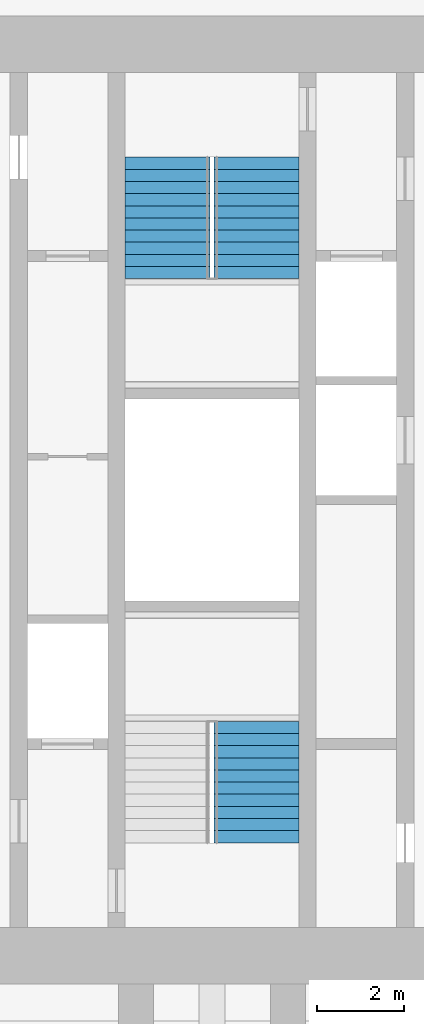
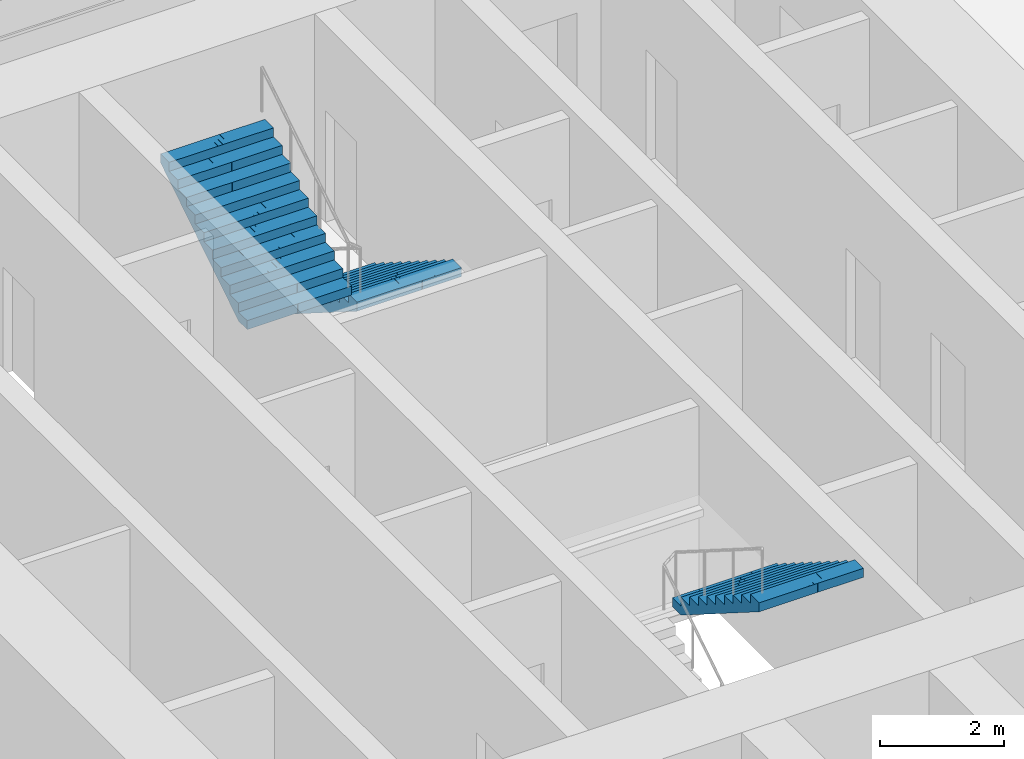
# One storey, part 14 of 15: 3 stair flights, 2 elements without a shape of their own.
"""IFC4 building model written with IfcOpenShell, lengths in metres."""

from ifc_helpers import new_model, si_unit, direction, frame, origin, place, context, subcontext, project, spatial, polyline, outline, extrude, material, type_object, element, aggregate, save


model = new_model("IFC4")

# Units and contexts
model_context = context("Model", 3, precision=1e-05, world=origin(), true_north=direction((0.0, 1.0)))
body_context = subcontext(model_context, "Body", "Model", "MODEL_VIEW")
ifc_project = project(units=[si_unit("LENGTHUNIT", "METRE"), si_unit("AREAUNIT", "SQUARE_METRE"), si_unit("VOLUMEUNIT", "CUBIC_METRE"), si_unit("PLANEANGLEUNIT", "RADIAN"), si_unit("MASSUNIT", "GRAM", prefix="KILO")], contexts=[model_context])

# Site, building, storey
site_placement = place(None, origin())
site = spatial("IfcSite", under=ifc_project, at=site_placement, CompositionType="ELEMENT")
building_placement = place(site_placement, origin())
building = spatial("IfcBuilding", under=site, at=building_placement, Name="Mizan Broadcast Tower", CompositionType="ELEMENT")
storey_placement = place(building_placement, frame((0.0, 0.0, 286.800048828125)))
storey = spatial("IfcBuildingStorey", under=building, at=storey_placement, Name="L68", CompositionType="ELEMENT", Elevation=286.800048828125)

# Stair, stair flight
ifc_material_1 = material(Name="Concrete C40/50", Category="concrete")
stair_type = type_object("IfcStairType", Name="EXIT STAIR", PredefinedType="HALF_TURN_STAIR", material=ifc_material_1)
stair_1_placement = place(storey_placement, origin())
stair_1 = element("IfcStair", 1, at=stair_1_placement, inside=storey, type_object=stair_type, Name="Stair A L68", PredefinedType="HALF_TURN_STAIR")
ifc_material_2 = material(Name="Concrete C40/50", Category="concrete")
stair_flight_type = type_object("IfcStairFlightType", Name="EXIT STAIR FLIGHT", PredefinedType="STRAIGHT", material=ifc_material_2)
stair_flight_1_placement = place(storey_placement, frame((1.02490234375, -5.10009765625, 1.949951171875), z_axis=(0.0, 0.0, 1.0), x_axis=(0.0, -1.0, 0.0)))
stair_flight_1 = element("IfcStairFlight", 2, at=stair_flight_1_placement, type_object=stair_flight_type, Name="A flight 2", NumberOfRisers=11, NumberOfTreads=10, PredefinedType="STRAIGHT", RiserHeight=0.177272727, TreadLength=0.28, context=body_context, shape_type="SweptSolid", body=[
    extrude(outline(polyline([(0.0, 0.0), (0.0, 0.17724609375), (0.280029296875, 0.17724609375), (0.280029296875, 0.3544921875), (0.56005859375, 0.3544921875), (0.56005859375, 0.53173828125), (0.840087890625, 0.53173828125), (0.840087890625, 0.708984375), (1.1201171875, 0.708984375), (1.1201171875, 0.886474609375), (1.39990234375, 0.886474609375), (1.39990234375, 1.063720703125), (1.679931640625, 1.063720703125), (1.679931640625, 1.240966796875), (1.9599609375, 1.240966796875), (1.9599609375, 1.418212890625), (2.239990234375, 1.418212890625), (2.239990234375, 1.595458984375), (2.52001953125, 1.595458984375), (2.52001953125, 1.772705078125), (2.800048828125, 1.772705078125), (2.800048828125, 1.949951171875), (2.800048828125, 1.59521484375), (0.2802734375, 0.0), (0.0, 0.0)])), frame((0.0, 0.97509765625, 0.0), z_axis=(0.0, -1.0, 0.0), x_axis=(1.0, 0.0, 0.0)), (0.0, 0.0, 1.0), 0.4873046875),
    extrude(outline(polyline([(0.0, 0.0), (0.0, 0.17724609375), (0.280029296875, 0.17724609375), (0.280029296875, 0.3544921875), (0.56005859375, 0.3544921875), (0.56005859375, 0.53173828125), (0.840087890625, 0.53173828125), (0.840087890625, 0.708984375), (1.1201171875, 0.708984375), (1.1201171875, 0.886474609375), (1.39990234375, 0.886474609375), (1.39990234375, 1.063720703125), (1.679931640625, 1.063720703125), (1.679931640625, 1.240966796875), (1.9599609375, 1.240966796875), (1.9599609375, 1.418212890625), (2.239990234375, 1.418212890625), (2.239990234375, 1.595458984375), (2.52001953125, 1.595458984375), (2.52001953125, 1.772705078125), (2.800048828125, 1.772705078125), (2.800048828125, 1.949951171875), (2.800048828125, 1.59521484375), (0.2802734375, 0.0), (0.0, 0.0)])), frame((0.0, 0.4873046875, 0.0), z_axis=(0.0, -1.0, 0.0), x_axis=(1.0, 0.0, 0.0)), (0.0, 0.0, 1.0), 0.2431640625),
    extrude(outline(polyline([(0.0, 0.0), (0.0, 0.17724609375), (0.280029296875, 0.17724609375), (0.280029296875, 0.3544921875), (0.56005859375, 0.3544921875), (0.56005859375, 0.53173828125), (0.840087890625, 0.53173828125), (0.840087890625, 0.708984375), (1.1201171875, 0.708984375), (1.1201171875, 0.886474609375), (1.39990234375, 0.886474609375), (1.39990234375, 1.063720703125), (1.679931640625, 1.063720703125), (1.679931640625, 1.240966796875), (1.9599609375, 1.240966796875), (1.9599609375, 1.418212890625), (2.239990234375, 1.418212890625), (2.239990234375, 1.595458984375), (2.52001953125, 1.595458984375), (2.52001953125, 1.772705078125), (2.800048828125, 1.772705078125), (2.800048828125, 1.949951171875), (2.800048828125, 1.59521484375), (0.2802734375, 0.0), (0.0, 0.0)])), frame((0.0, 0.24365234375, 0.0), z_axis=(0.0, -1.0, 0.0), x_axis=(1.0, 0.0, 0.0)), (0.0, 0.0, 1.0), 0.121337890625),
    extrude(outline(polyline([(0.0, 0.0), (0.0, 0.17724609375), (0.280029296875, 0.17724609375), (0.280029296875, 0.3544921875), (0.56005859375, 0.3544921875), (0.56005859375, 0.53173828125), (0.840087890625, 0.53173828125), (0.840087890625, 0.708984375), (1.1201171875, 0.708984375), (1.1201171875, 0.886474609375), (1.39990234375, 0.886474609375), (1.39990234375, 1.063720703125), (1.679931640625, 1.063720703125), (1.679931640625, 1.240966796875), (1.9599609375, 1.240966796875), (1.9599609375, 1.418212890625), (2.239990234375, 1.418212890625), (2.239990234375, 1.595458984375), (2.52001953125, 1.595458984375), (2.52001953125, 1.772705078125), (2.800048828125, 1.772705078125), (2.800048828125, 1.949951171875), (2.800048828125, 1.59521484375), (0.2802734375, 0.0), (0.0, 0.0)])), frame((0.0, 0.121826171875, 0.0), z_axis=(0.0, -1.0, 0.0), x_axis=(1.0, 0.0, 0.0)), (0.0, 0.0, 1.0), 0.060546875),
    extrude(outline(polyline([(0.0, 0.0), (0.0, 0.17724609375), (0.280029296875, 0.17724609375), (0.280029296875, 0.3544921875), (0.56005859375, 0.3544921875), (0.56005859375, 0.53173828125), (0.840087890625, 0.53173828125), (0.840087890625, 0.708984375), (1.1201171875, 0.708984375), (1.1201171875, 0.886474609375), (1.39990234375, 0.886474609375), (1.39990234375, 1.063720703125), (1.679931640625, 1.063720703125), (1.679931640625, 1.240966796875), (1.9599609375, 1.240966796875), (1.9599609375, 1.418212890625), (2.239990234375, 1.418212890625), (2.239990234375, 1.595458984375), (2.52001953125, 1.595458984375), (2.52001953125, 1.772705078125), (2.800048828125, 1.772705078125), (2.800048828125, 1.949951171875), (2.800048828125, 1.59521484375), (0.2802734375, 0.0), (0.0, 0.0)])), frame((0.0, 0.060791015625, 0.0), z_axis=(0.0, -1.0, 0.0), x_axis=(1.0, 0.0, 0.0)), (0.0, 0.0, 1.0), 0.030029296875),
    extrude(outline(polyline([(0.0, 0.0), (0.0, 0.17724609375), (0.280029296875, 0.17724609375), (0.280029296875, 0.3544921875), (0.56005859375, 0.3544921875), (0.56005859375, 0.53173828125), (0.840087890625, 0.53173828125), (0.840087890625, 0.708984375), (1.1201171875, 0.708984375), (1.1201171875, 0.886474609375), (1.39990234375, 0.886474609375), (1.39990234375, 1.063720703125), (1.679931640625, 1.063720703125), (1.679931640625, 1.240966796875), (1.9599609375, 1.240966796875), (1.9599609375, 1.418212890625), (2.239990234375, 1.418212890625), (2.239990234375, 1.595458984375), (2.52001953125, 1.595458984375), (2.52001953125, 1.772705078125), (2.800048828125, 1.772705078125), (2.800048828125, 1.949951171875), (2.800048828125, 1.59521484375), (0.2802734375, 0.0), (0.0, 0.0)])), frame((0.0, 0.0302734375, 0.0), z_axis=(0.0, -1.0, 0.0), x_axis=(1.0, 0.0, 0.0)), (0.0, 0.0, 1.0), 0.060302734375),
    extrude(outline(polyline([(0.0, 0.0), (0.0, 0.17724609375), (0.280029296875, 0.17724609375), (0.280029296875, 0.3544921875), (0.56005859375, 0.3544921875), (0.56005859375, 0.53173828125), (0.840087890625, 0.53173828125), (0.840087890625, 0.708984375), (1.1201171875, 0.708984375), (1.1201171875, 0.886474609375), (1.39990234375, 0.886474609375), (1.39990234375, 1.063720703125), (1.679931640625, 1.063720703125), (1.679931640625, 1.240966796875), (1.9599609375, 1.240966796875), (1.9599609375, 1.418212890625), (2.239990234375, 1.418212890625), (2.239990234375, 1.595458984375), (2.52001953125, 1.595458984375), (2.52001953125, 1.772705078125), (2.800048828125, 1.772705078125), (2.800048828125, 1.949951171875), (2.800048828125, 1.59521484375), (0.2802734375, 0.0), (0.0, 0.0)])), frame((0.0, -0.030517578125, 0.0), z_axis=(0.0, -1.0, 0.0), x_axis=(1.0, 0.0, 0.0)), (0.0, 0.0, 1.0), 0.030029296875),
    extrude(outline(polyline([(0.0, 0.0), (0.0, 0.17724609375), (0.280029296875, 0.17724609375), (0.280029296875, 0.3544921875), (0.56005859375, 0.3544921875), (0.56005859375, 0.53173828125), (0.840087890625, 0.53173828125), (0.840087890625, 0.708984375), (1.1201171875, 0.708984375), (1.1201171875, 0.886474609375), (1.39990234375, 0.886474609375), (1.39990234375, 1.063720703125), (1.679931640625, 1.063720703125), (1.679931640625, 1.240966796875), (1.9599609375, 1.240966796875), (1.9599609375, 1.418212890625), (2.239990234375, 1.418212890625), (2.239990234375, 1.595458984375), (2.52001953125, 1.595458984375), (2.52001953125, 1.772705078125), (2.800048828125, 1.772705078125), (2.800048828125, 1.949951171875), (2.800048828125, 1.59521484375), (0.2802734375, 0.0), (0.0, 0.0)])), frame((0.0, -0.06103515625, 0.0), z_axis=(0.0, -1.0, 0.0), x_axis=(1.0, 0.0, 0.0)), (0.0, 0.0, 1.0), 0.060546875),
    extrude(outline(polyline([(0.0, 0.0), (0.0, 0.17724609375), (0.280029296875, 0.17724609375), (0.280029296875, 0.3544921875), (0.56005859375, 0.3544921875), (0.56005859375, 0.53173828125), (0.840087890625, 0.53173828125), (0.840087890625, 0.708984375), (1.1201171875, 0.708984375), (1.1201171875, 0.886474609375), (1.39990234375, 0.886474609375), (1.39990234375, 1.063720703125), (1.679931640625, 1.063720703125), (1.679931640625, 1.240966796875), (1.9599609375, 1.240966796875), (1.9599609375, 1.418212890625), (2.239990234375, 1.418212890625), (2.239990234375, 1.595458984375), (2.52001953125, 1.595458984375), (2.52001953125, 1.772705078125), (2.800048828125, 1.772705078125), (2.800048828125, 1.949951171875), (2.800048828125, 1.59521484375), (0.2802734375, 0.0), (0.0, 0.0)])), frame((0.0, -0.1220703125, 0.0), z_axis=(0.0, -1.0, 0.0), x_axis=(1.0, 0.0, 0.0)), (0.0, 0.0, 1.0), 0.121337890625),
    extrude(outline(polyline([(0.0, 0.0), (0.0, 0.17724609375), (0.280029296875, 0.17724609375), (0.280029296875, 0.3544921875), (0.56005859375, 0.3544921875), (0.56005859375, 0.53173828125), (0.840087890625, 0.53173828125), (0.840087890625, 0.708984375), (1.1201171875, 0.708984375), (1.1201171875, 0.886474609375), (1.39990234375, 0.886474609375), (1.39990234375, 1.063720703125), (1.679931640625, 1.063720703125), (1.679931640625, 1.240966796875), (1.9599609375, 1.240966796875), (1.9599609375, 1.418212890625), (2.239990234375, 1.418212890625), (2.239990234375, 1.595458984375), (2.52001953125, 1.595458984375), (2.52001953125, 1.772705078125), (2.800048828125, 1.772705078125), (2.800048828125, 1.949951171875), (2.800048828125, 1.59521484375), (0.2802734375, 0.0), (0.0, 0.0)])), frame((0.0, -0.243896484375, 0.0), z_axis=(0.0, -1.0, 0.0), x_axis=(1.0, 0.0, 0.0)), (0.0, 0.0, 1.0), 0.2431640625),
    extrude(outline(polyline([(0.0, 0.0), (0.0, 0.17724609375), (0.280029296875, 0.17724609375), (0.280029296875, 0.3544921875), (0.56005859375, 0.3544921875), (0.56005859375, 0.53173828125), (0.840087890625, 0.53173828125), (0.840087890625, 0.708984375), (1.1201171875, 0.708984375), (1.1201171875, 0.886474609375), (1.39990234375, 0.886474609375), (1.39990234375, 1.063720703125), (1.679931640625, 1.063720703125), (1.679931640625, 1.240966796875), (1.9599609375, 1.240966796875), (1.9599609375, 1.418212890625), (2.239990234375, 1.418212890625), (2.239990234375, 1.595458984375), (2.52001953125, 1.595458984375), (2.52001953125, 1.772705078125), (2.800048828125, 1.772705078125), (2.800048828125, 1.949951171875), (2.800048828125, 1.59521484375), (0.2802734375, 0.0), (0.0, 0.0)])), frame((0.0, -0.487548828125, 0.0), z_axis=(0.0, -1.0, 0.0), x_axis=(1.0, 0.0, 0.0)), (0.0, 0.0, 1.0), 0.4873046875),
])
aggregate(stair_1, [stair_flight_1])

# Stair, stair flights
stair_2_placement = place(storey_placement, origin())
stair_2 = element("IfcStair", 3, at=stair_2_placement, inside=storey, type_object=stair_type, Name="Stair B L68", PredefinedType="HALF_TURN_STAIR")
stair_flight_2_placement = place(storey_placement, frame((1.02490234375, 7.89990234375, 0.0), z_axis=(0.0, 0.0, 1.0), x_axis=(0.0, -1.0, 0.0)))
stair_flight_2 = element("IfcStairFlight", 4, at=stair_flight_2_placement, type_object=stair_flight_type, Name="B flight 1", NumberOfRisers=11, NumberOfTreads=10, PredefinedType="STRAIGHT", RiserHeight=0.177272727, TreadLength=0.28, context=body_context, shape_type="SweptSolid", body=[
    extrude(outline(polyline([(0.0, 0.0), (0.0, 0.17724609375), (0.280029296875, 0.17724609375), (0.280029296875, 0.3544921875), (0.56005859375, 0.3544921875), (0.56005859375, 0.53173828125), (0.840087890625, 0.53173828125), (0.840087890625, 0.708984375), (1.1201171875, 0.708984375), (1.1201171875, 0.886474609375), (1.39990234375, 0.886474609375), (1.39990234375, 1.063720703125), (1.679931640625, 1.063720703125), (1.679931640625, 1.240966796875), (1.9599609375, 1.240966796875), (1.9599609375, 1.418212890625), (2.239990234375, 1.418212890625), (2.239990234375, 1.595458984375), (2.52001953125, 1.595458984375), (2.52001953125, 1.772705078125), (2.800048828125, 1.772705078125), (2.800048828125, 1.949951171875), (2.800048828125, 1.59521484375), (0.2802734375, 0.0), (0.0, 0.0)])), frame((0.0, 0.97509765625, 0.0), z_axis=(0.0, -1.0, 0.0), x_axis=(1.0, 0.0, 0.0)), (0.0, 0.0, 1.0), 0.4873046875),
    extrude(outline(polyline([(0.0, 0.0), (0.0, 0.17724609375), (0.280029296875, 0.17724609375), (0.280029296875, 0.3544921875), (0.56005859375, 0.3544921875), (0.56005859375, 0.53173828125), (0.840087890625, 0.53173828125), (0.840087890625, 0.708984375), (1.1201171875, 0.708984375), (1.1201171875, 0.886474609375), (1.39990234375, 0.886474609375), (1.39990234375, 1.063720703125), (1.679931640625, 1.063720703125), (1.679931640625, 1.240966796875), (1.9599609375, 1.240966796875), (1.9599609375, 1.418212890625), (2.239990234375, 1.418212890625), (2.239990234375, 1.595458984375), (2.52001953125, 1.595458984375), (2.52001953125, 1.772705078125), (2.800048828125, 1.772705078125), (2.800048828125, 1.949951171875), (2.800048828125, 1.59521484375), (0.2802734375, 0.0), (0.0, 0.0)])), frame((0.0, 0.4873046875, 0.0), z_axis=(0.0, -1.0, 0.0), x_axis=(1.0, 0.0, 0.0)), (0.0, 0.0, 1.0), 0.2431640625),
    extrude(outline(polyline([(0.0, 0.0), (0.0, 0.17724609375), (0.280029296875, 0.17724609375), (0.280029296875, 0.3544921875), (0.56005859375, 0.3544921875), (0.56005859375, 0.53173828125), (0.840087890625, 0.53173828125), (0.840087890625, 0.708984375), (1.1201171875, 0.708984375), (1.1201171875, 0.886474609375), (1.39990234375, 0.886474609375), (1.39990234375, 1.063720703125), (1.679931640625, 1.063720703125), (1.679931640625, 1.240966796875), (1.9599609375, 1.240966796875), (1.9599609375, 1.418212890625), (2.239990234375, 1.418212890625), (2.239990234375, 1.595458984375), (2.52001953125, 1.595458984375), (2.52001953125, 1.772705078125), (2.800048828125, 1.772705078125), (2.800048828125, 1.949951171875), (2.800048828125, 1.59521484375), (0.2802734375, 0.0), (0.0, 0.0)])), frame((0.0, 0.24365234375, 0.0), z_axis=(0.0, -1.0, 0.0), x_axis=(1.0, 0.0, 0.0)), (0.0, 0.0, 1.0), 0.121337890625),
    extrude(outline(polyline([(0.0, 0.0), (0.0, 0.17724609375), (0.280029296875, 0.17724609375), (0.280029296875, 0.3544921875), (0.56005859375, 0.3544921875), (0.56005859375, 0.53173828125), (0.840087890625, 0.53173828125), (0.840087890625, 0.708984375), (1.1201171875, 0.708984375), (1.1201171875, 0.886474609375), (1.39990234375, 0.886474609375), (1.39990234375, 1.063720703125), (1.679931640625, 1.063720703125), (1.679931640625, 1.240966796875), (1.9599609375, 1.240966796875), (1.9599609375, 1.418212890625), (2.239990234375, 1.418212890625), (2.239990234375, 1.595458984375), (2.52001953125, 1.595458984375), (2.52001953125, 1.772705078125), (2.800048828125, 1.772705078125), (2.800048828125, 1.949951171875), (2.800048828125, 1.59521484375), (0.2802734375, 0.0), (0.0, 0.0)])), frame((0.0, 0.121826171875, 0.0), z_axis=(0.0, -1.0, 0.0), x_axis=(1.0, 0.0, 0.0)), (0.0, 0.0, 1.0), 0.060546875),
    extrude(outline(polyline([(0.0, 0.0), (0.0, 0.17724609375), (0.280029296875, 0.17724609375), (0.280029296875, 0.3544921875), (0.56005859375, 0.3544921875), (0.56005859375, 0.53173828125), (0.840087890625, 0.53173828125), (0.840087890625, 0.708984375), (1.1201171875, 0.708984375), (1.1201171875, 0.886474609375), (1.39990234375, 0.886474609375), (1.39990234375, 1.063720703125), (1.679931640625, 1.063720703125), (1.679931640625, 1.240966796875), (1.9599609375, 1.240966796875), (1.9599609375, 1.418212890625), (2.239990234375, 1.418212890625), (2.239990234375, 1.595458984375), (2.52001953125, 1.595458984375), (2.52001953125, 1.772705078125), (2.800048828125, 1.772705078125), (2.800048828125, 1.949951171875), (2.800048828125, 1.59521484375), (0.2802734375, 0.0), (0.0, 0.0)])), frame((0.0, 0.060791015625, 0.0), z_axis=(0.0, -1.0, 0.0), x_axis=(1.0, 0.0, 0.0)), (0.0, 0.0, 1.0), 0.030029296875),
    extrude(outline(polyline([(0.0, 0.0), (0.0, 0.17724609375), (0.280029296875, 0.17724609375), (0.280029296875, 0.3544921875), (0.56005859375, 0.3544921875), (0.56005859375, 0.53173828125), (0.840087890625, 0.53173828125), (0.840087890625, 0.708984375), (1.1201171875, 0.708984375), (1.1201171875, 0.886474609375), (1.39990234375, 0.886474609375), (1.39990234375, 1.063720703125), (1.679931640625, 1.063720703125), (1.679931640625, 1.240966796875), (1.9599609375, 1.240966796875), (1.9599609375, 1.418212890625), (2.239990234375, 1.418212890625), (2.239990234375, 1.595458984375), (2.52001953125, 1.595458984375), (2.52001953125, 1.772705078125), (2.800048828125, 1.772705078125), (2.800048828125, 1.949951171875), (2.800048828125, 1.59521484375), (0.2802734375, 0.0), (0.0, 0.0)])), frame((0.0, 0.0302734375, 0.0), z_axis=(0.0, -1.0, 0.0), x_axis=(1.0, 0.0, 0.0)), (0.0, 0.0, 1.0), 0.060302734375),
    extrude(outline(polyline([(0.0, 0.0), (0.0, 0.17724609375), (0.280029296875, 0.17724609375), (0.280029296875, 0.3544921875), (0.56005859375, 0.3544921875), (0.56005859375, 0.53173828125), (0.840087890625, 0.53173828125), (0.840087890625, 0.708984375), (1.1201171875, 0.708984375), (1.1201171875, 0.886474609375), (1.39990234375, 0.886474609375), (1.39990234375, 1.063720703125), (1.679931640625, 1.063720703125), (1.679931640625, 1.240966796875), (1.9599609375, 1.240966796875), (1.9599609375, 1.418212890625), (2.239990234375, 1.418212890625), (2.239990234375, 1.595458984375), (2.52001953125, 1.595458984375), (2.52001953125, 1.772705078125), (2.800048828125, 1.772705078125), (2.800048828125, 1.949951171875), (2.800048828125, 1.59521484375), (0.2802734375, 0.0), (0.0, 0.0)])), frame((0.0, -0.030517578125, 0.0), z_axis=(0.0, -1.0, 0.0), x_axis=(1.0, 0.0, 0.0)), (0.0, 0.0, 1.0), 0.030029296875),
    extrude(outline(polyline([(0.0, 0.0), (0.0, 0.17724609375), (0.280029296875, 0.17724609375), (0.280029296875, 0.3544921875), (0.56005859375, 0.3544921875), (0.56005859375, 0.53173828125), (0.840087890625, 0.53173828125), (0.840087890625, 0.708984375), (1.1201171875, 0.708984375), (1.1201171875, 0.886474609375), (1.39990234375, 0.886474609375), (1.39990234375, 1.063720703125), (1.679931640625, 1.063720703125), (1.679931640625, 1.240966796875), (1.9599609375, 1.240966796875), (1.9599609375, 1.418212890625), (2.239990234375, 1.418212890625), (2.239990234375, 1.595458984375), (2.52001953125, 1.595458984375), (2.52001953125, 1.772705078125), (2.800048828125, 1.772705078125), (2.800048828125, 1.949951171875), (2.800048828125, 1.59521484375), (0.2802734375, 0.0), (0.0, 0.0)])), frame((0.0, -0.06103515625, 0.0), z_axis=(0.0, -1.0, 0.0), x_axis=(1.0, 0.0, 0.0)), (0.0, 0.0, 1.0), 0.060546875),
    extrude(outline(polyline([(0.0, 0.0), (0.0, 0.17724609375), (0.280029296875, 0.17724609375), (0.280029296875, 0.3544921875), (0.56005859375, 0.3544921875), (0.56005859375, 0.53173828125), (0.840087890625, 0.53173828125), (0.840087890625, 0.708984375), (1.1201171875, 0.708984375), (1.1201171875, 0.886474609375), (1.39990234375, 0.886474609375), (1.39990234375, 1.063720703125), (1.679931640625, 1.063720703125), (1.679931640625, 1.240966796875), (1.9599609375, 1.240966796875), (1.9599609375, 1.418212890625), (2.239990234375, 1.418212890625), (2.239990234375, 1.595458984375), (2.52001953125, 1.595458984375), (2.52001953125, 1.772705078125), (2.800048828125, 1.772705078125), (2.800048828125, 1.949951171875), (2.800048828125, 1.59521484375), (0.2802734375, 0.0), (0.0, 0.0)])), frame((0.0, -0.1220703125, 0.0), z_axis=(0.0, -1.0, 0.0), x_axis=(1.0, 0.0, 0.0)), (0.0, 0.0, 1.0), 0.121337890625),
    extrude(outline(polyline([(0.0, 0.0), (0.0, 0.17724609375), (0.280029296875, 0.17724609375), (0.280029296875, 0.3544921875), (0.56005859375, 0.3544921875), (0.56005859375, 0.53173828125), (0.840087890625, 0.53173828125), (0.840087890625, 0.708984375), (1.1201171875, 0.708984375), (1.1201171875, 0.886474609375), (1.39990234375, 0.886474609375), (1.39990234375, 1.063720703125), (1.679931640625, 1.063720703125), (1.679931640625, 1.240966796875), (1.9599609375, 1.240966796875), (1.9599609375, 1.418212890625), (2.239990234375, 1.418212890625), (2.239990234375, 1.595458984375), (2.52001953125, 1.595458984375), (2.52001953125, 1.772705078125), (2.800048828125, 1.772705078125), (2.800048828125, 1.949951171875), (2.800048828125, 1.59521484375), (0.2802734375, 0.0), (0.0, 0.0)])), frame((0.0, -0.243896484375, 0.0), z_axis=(0.0, -1.0, 0.0), x_axis=(1.0, 0.0, 0.0)), (0.0, 0.0, 1.0), 0.2431640625),
    extrude(outline(polyline([(0.0, 0.0), (0.0, 0.17724609375), (0.280029296875, 0.17724609375), (0.280029296875, 0.3544921875), (0.56005859375, 0.3544921875), (0.56005859375, 0.53173828125), (0.840087890625, 0.53173828125), (0.840087890625, 0.708984375), (1.1201171875, 0.708984375), (1.1201171875, 0.886474609375), (1.39990234375, 0.886474609375), (1.39990234375, 1.063720703125), (1.679931640625, 1.063720703125), (1.679931640625, 1.240966796875), (1.9599609375, 1.240966796875), (1.9599609375, 1.418212890625), (2.239990234375, 1.418212890625), (2.239990234375, 1.595458984375), (2.52001953125, 1.595458984375), (2.52001953125, 1.772705078125), (2.800048828125, 1.772705078125), (2.800048828125, 1.949951171875), (2.800048828125, 1.59521484375), (0.2802734375, 0.0), (0.0, 0.0)])), frame((0.0, -0.487548828125, 0.0), z_axis=(0.0, -1.0, 0.0), x_axis=(1.0, 0.0, 0.0)), (0.0, 0.0, 1.0), 0.4873046875),
])
stair_flight_3_placement = place(storey_placement, frame((-1.02490234375, 5.10009765625, 1.949951171875), z_axis=(0.0, 0.0, 1.0), x_axis=(0.0, 1.0, 0.0)))
stair_flight_3 = element("IfcStairFlight", 5, at=stair_flight_3_placement, type_object=stair_flight_type, Name="B flight 2", NumberOfRisers=11, NumberOfTreads=10, PredefinedType="STRAIGHT", RiserHeight=0.177272727, TreadLength=0.28, context=body_context, shape_type="SweptSolid", body=[
    extrude(outline(polyline([(0.0, 0.0), (0.0, 0.17724609375), (0.280029296875, 0.17724609375), (0.280029296875, 0.3544921875), (0.56005859375, 0.3544921875), (0.56005859375, 0.53173828125), (0.840087890625, 0.53173828125), (0.840087890625, 0.708984375), (1.1201171875, 0.708984375), (1.1201171875, 0.886474609375), (1.39990234375, 0.886474609375), (1.39990234375, 1.063720703125), (1.679931640625, 1.063720703125), (1.679931640625, 1.240966796875), (1.9599609375, 1.240966796875), (1.9599609375, 1.418212890625), (2.239990234375, 1.418212890625), (2.239990234375, 1.595458984375), (2.52001953125, 1.595458984375), (2.52001953125, 1.772705078125), (2.800048828125, 1.772705078125), (2.800048828125, 1.949951171875), (2.800048828125, 1.59521484375), (0.2802734375, 0.0), (0.0, 0.0)])), frame((0.0, 0.97509765625, 0.0), z_axis=(0.0, -1.0, 0.0), x_axis=(1.0, 0.0, 0.0)), (0.0, 0.0, 1.0), 0.4873046875),
    extrude(outline(polyline([(0.0, 0.0), (0.0, 0.17724609375), (0.280029296875, 0.17724609375), (0.280029296875, 0.3544921875), (0.56005859375, 0.3544921875), (0.56005859375, 0.53173828125), (0.840087890625, 0.53173828125), (0.840087890625, 0.708984375), (1.1201171875, 0.708984375), (1.1201171875, 0.886474609375), (1.39990234375, 0.886474609375), (1.39990234375, 1.063720703125), (1.679931640625, 1.063720703125), (1.679931640625, 1.240966796875), (1.9599609375, 1.240966796875), (1.9599609375, 1.418212890625), (2.239990234375, 1.418212890625), (2.239990234375, 1.595458984375), (2.52001953125, 1.595458984375), (2.52001953125, 1.772705078125), (2.800048828125, 1.772705078125), (2.800048828125, 1.949951171875), (2.800048828125, 1.59521484375), (0.2802734375, 0.0), (0.0, 0.0)])), frame((0.0, 0.4873046875, 0.0), z_axis=(0.0, -1.0, 0.0), x_axis=(1.0, 0.0, 0.0)), (0.0, 0.0, 1.0), 0.2431640625),
    extrude(outline(polyline([(0.0, 0.0), (0.0, 0.17724609375), (0.280029296875, 0.17724609375), (0.280029296875, 0.3544921875), (0.56005859375, 0.3544921875), (0.56005859375, 0.53173828125), (0.840087890625, 0.53173828125), (0.840087890625, 0.708984375), (1.1201171875, 0.708984375), (1.1201171875, 0.886474609375), (1.39990234375, 0.886474609375), (1.39990234375, 1.063720703125), (1.679931640625, 1.063720703125), (1.679931640625, 1.240966796875), (1.9599609375, 1.240966796875), (1.9599609375, 1.418212890625), (2.239990234375, 1.418212890625), (2.239990234375, 1.595458984375), (2.52001953125, 1.595458984375), (2.52001953125, 1.772705078125), (2.800048828125, 1.772705078125), (2.800048828125, 1.949951171875), (2.800048828125, 1.59521484375), (0.2802734375, 0.0), (0.0, 0.0)])), frame((0.0, 0.24365234375, 0.0), z_axis=(0.0, -1.0, 0.0), x_axis=(1.0, 0.0, 0.0)), (0.0, 0.0, 1.0), 0.121337890625),
    extrude(outline(polyline([(0.0, 0.0), (0.0, 0.17724609375), (0.280029296875, 0.17724609375), (0.280029296875, 0.3544921875), (0.56005859375, 0.3544921875), (0.56005859375, 0.53173828125), (0.840087890625, 0.53173828125), (0.840087890625, 0.708984375), (1.1201171875, 0.708984375), (1.1201171875, 0.886474609375), (1.39990234375, 0.886474609375), (1.39990234375, 1.063720703125), (1.679931640625, 1.063720703125), (1.679931640625, 1.240966796875), (1.9599609375, 1.240966796875), (1.9599609375, 1.418212890625), (2.239990234375, 1.418212890625), (2.239990234375, 1.595458984375), (2.52001953125, 1.595458984375), (2.52001953125, 1.772705078125), (2.800048828125, 1.772705078125), (2.800048828125, 1.949951171875), (2.800048828125, 1.59521484375), (0.2802734375, 0.0), (0.0, 0.0)])), frame((0.0, 0.121826171875, 0.0), z_axis=(0.0, -1.0, 0.0), x_axis=(1.0, 0.0, 0.0)), (0.0, 0.0, 1.0), 0.060546875),
    extrude(outline(polyline([(0.0, 0.0), (0.0, 0.17724609375), (0.280029296875, 0.17724609375), (0.280029296875, 0.3544921875), (0.56005859375, 0.3544921875), (0.56005859375, 0.53173828125), (0.840087890625, 0.53173828125), (0.840087890625, 0.708984375), (1.1201171875, 0.708984375), (1.1201171875, 0.886474609375), (1.39990234375, 0.886474609375), (1.39990234375, 1.063720703125), (1.679931640625, 1.063720703125), (1.679931640625, 1.240966796875), (1.9599609375, 1.240966796875), (1.9599609375, 1.418212890625), (2.239990234375, 1.418212890625), (2.239990234375, 1.595458984375), (2.52001953125, 1.595458984375), (2.52001953125, 1.772705078125), (2.800048828125, 1.772705078125), (2.800048828125, 1.949951171875), (2.800048828125, 1.59521484375), (0.2802734375, 0.0), (0.0, 0.0)])), frame((0.0, 0.060791015625, 0.0), z_axis=(0.0, -1.0, 0.0), x_axis=(1.0, 0.0, 0.0)), (0.0, 0.0, 1.0), 0.030029296875),
    extrude(outline(polyline([(0.0, 0.0), (0.0, 0.17724609375), (0.280029296875, 0.17724609375), (0.280029296875, 0.3544921875), (0.56005859375, 0.3544921875), (0.56005859375, 0.53173828125), (0.840087890625, 0.53173828125), (0.840087890625, 0.708984375), (1.1201171875, 0.708984375), (1.1201171875, 0.886474609375), (1.39990234375, 0.886474609375), (1.39990234375, 1.063720703125), (1.679931640625, 1.063720703125), (1.679931640625, 1.240966796875), (1.9599609375, 1.240966796875), (1.9599609375, 1.418212890625), (2.239990234375, 1.418212890625), (2.239990234375, 1.595458984375), (2.52001953125, 1.595458984375), (2.52001953125, 1.772705078125), (2.800048828125, 1.772705078125), (2.800048828125, 1.949951171875), (2.800048828125, 1.59521484375), (0.2802734375, 0.0), (0.0, 0.0)])), frame((0.0, 0.0302734375, 0.0), z_axis=(0.0, -1.0, 0.0), x_axis=(1.0, 0.0, 0.0)), (0.0, 0.0, 1.0), 0.060302734375),
    extrude(outline(polyline([(0.0, 0.0), (0.0, 0.17724609375), (0.280029296875, 0.17724609375), (0.280029296875, 0.3544921875), (0.56005859375, 0.3544921875), (0.56005859375, 0.53173828125), (0.840087890625, 0.53173828125), (0.840087890625, 0.708984375), (1.1201171875, 0.708984375), (1.1201171875, 0.886474609375), (1.39990234375, 0.886474609375), (1.39990234375, 1.063720703125), (1.679931640625, 1.063720703125), (1.679931640625, 1.240966796875), (1.9599609375, 1.240966796875), (1.9599609375, 1.418212890625), (2.239990234375, 1.418212890625), (2.239990234375, 1.595458984375), (2.52001953125, 1.595458984375), (2.52001953125, 1.772705078125), (2.800048828125, 1.772705078125), (2.800048828125, 1.949951171875), (2.800048828125, 1.59521484375), (0.2802734375, 0.0), (0.0, 0.0)])), frame((0.0, -0.030517578125, 0.0), z_axis=(0.0, -1.0, 0.0), x_axis=(1.0, 0.0, 0.0)), (0.0, 0.0, 1.0), 0.030029296875),
    extrude(outline(polyline([(0.0, 0.0), (0.0, 0.17724609375), (0.280029296875, 0.17724609375), (0.280029296875, 0.3544921875), (0.56005859375, 0.3544921875), (0.56005859375, 0.53173828125), (0.840087890625, 0.53173828125), (0.840087890625, 0.708984375), (1.1201171875, 0.708984375), (1.1201171875, 0.886474609375), (1.39990234375, 0.886474609375), (1.39990234375, 1.063720703125), (1.679931640625, 1.063720703125), (1.679931640625, 1.240966796875), (1.9599609375, 1.240966796875), (1.9599609375, 1.418212890625), (2.239990234375, 1.418212890625), (2.239990234375, 1.595458984375), (2.52001953125, 1.595458984375), (2.52001953125, 1.772705078125), (2.800048828125, 1.772705078125), (2.800048828125, 1.949951171875), (2.800048828125, 1.59521484375), (0.2802734375, 0.0), (0.0, 0.0)])), frame((0.0, -0.06103515625, 0.0), z_axis=(0.0, -1.0, 0.0), x_axis=(1.0, 0.0, 0.0)), (0.0, 0.0, 1.0), 0.060546875),
    extrude(outline(polyline([(0.0, 0.0), (0.0, 0.17724609375), (0.280029296875, 0.17724609375), (0.280029296875, 0.3544921875), (0.56005859375, 0.3544921875), (0.56005859375, 0.53173828125), (0.840087890625, 0.53173828125), (0.840087890625, 0.708984375), (1.1201171875, 0.708984375), (1.1201171875, 0.886474609375), (1.39990234375, 0.886474609375), (1.39990234375, 1.063720703125), (1.679931640625, 1.063720703125), (1.679931640625, 1.240966796875), (1.9599609375, 1.240966796875), (1.9599609375, 1.418212890625), (2.239990234375, 1.418212890625), (2.239990234375, 1.595458984375), (2.52001953125, 1.595458984375), (2.52001953125, 1.772705078125), (2.800048828125, 1.772705078125), (2.800048828125, 1.949951171875), (2.800048828125, 1.59521484375), (0.2802734375, 0.0), (0.0, 0.0)])), frame((0.0, -0.1220703125, 0.0), z_axis=(0.0, -1.0, 0.0), x_axis=(1.0, 0.0, 0.0)), (0.0, 0.0, 1.0), 0.121337890625),
    extrude(outline(polyline([(0.0, 0.0), (0.0, 0.17724609375), (0.280029296875, 0.17724609375), (0.280029296875, 0.3544921875), (0.56005859375, 0.3544921875), (0.56005859375, 0.53173828125), (0.840087890625, 0.53173828125), (0.840087890625, 0.708984375), (1.1201171875, 0.708984375), (1.1201171875, 0.886474609375), (1.39990234375, 0.886474609375), (1.39990234375, 1.063720703125), (1.679931640625, 1.063720703125), (1.679931640625, 1.240966796875), (1.9599609375, 1.240966796875), (1.9599609375, 1.418212890625), (2.239990234375, 1.418212890625), (2.239990234375, 1.595458984375), (2.52001953125, 1.595458984375), (2.52001953125, 1.772705078125), (2.800048828125, 1.772705078125), (2.800048828125, 1.949951171875), (2.800048828125, 1.59521484375), (0.2802734375, 0.0), (0.0, 0.0)])), frame((0.0, -0.243896484375, 0.0), z_axis=(0.0, -1.0, 0.0), x_axis=(1.0, 0.0, 0.0)), (0.0, 0.0, 1.0), 0.2431640625),
    extrude(outline(polyline([(0.0, 0.0), (0.0, 0.17724609375), (0.280029296875, 0.17724609375), (0.280029296875, 0.3544921875), (0.56005859375, 0.3544921875), (0.56005859375, 0.53173828125), (0.840087890625, 0.53173828125), (0.840087890625, 0.708984375), (1.1201171875, 0.708984375), (1.1201171875, 0.886474609375), (1.39990234375, 0.886474609375), (1.39990234375, 1.063720703125), (1.679931640625, 1.063720703125), (1.679931640625, 1.240966796875), (1.9599609375, 1.240966796875), (1.9599609375, 1.418212890625), (2.239990234375, 1.418212890625), (2.239990234375, 1.595458984375), (2.52001953125, 1.595458984375), (2.52001953125, 1.772705078125), (2.800048828125, 1.772705078125), (2.800048828125, 1.949951171875), (2.800048828125, 1.59521484375), (0.2802734375, 0.0), (0.0, 0.0)])), frame((0.0, -0.487548828125, 0.0), z_axis=(0.0, -1.0, 0.0), x_axis=(1.0, 0.0, 0.0)), (0.0, 0.0, 1.0), 0.4873046875),
])
aggregate(stair_2, [stair_flight_2, stair_flight_3])

save(model, "model.ifc")
